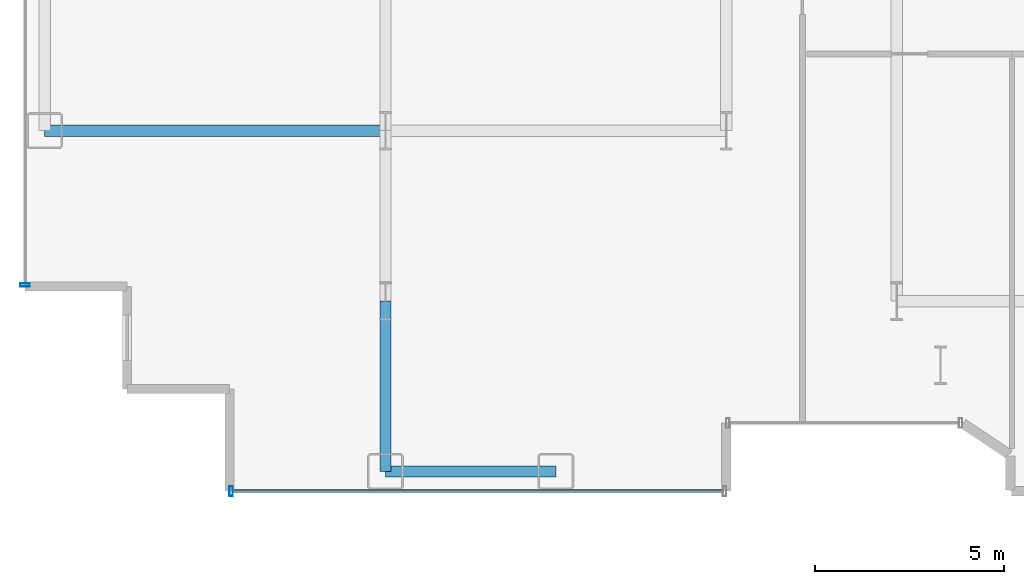
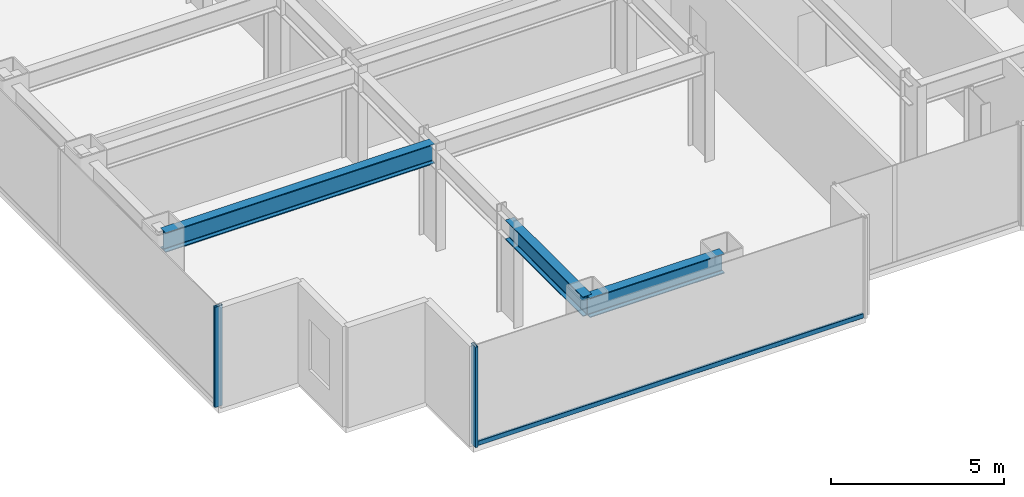
# One storey, part 2 of 25: 3 beams, 3 members, 2 elements without a shape of their own.
"""IFC4 building model written with IfcOpenShell, lengths in metres."""

from ifc_helpers import new_model, si_unit, direction, frame, origin, origin_2d, place, context, subcontext, project, spatial, hollow_rectangle, i_section, extrude, source, transform, mapped, material, layer, layer_set, material_profile, profile_set, type_object, element, aggregate, save


model = new_model("IFC4")

# Units and contexts
model_context = context("Model", 3, precision=1e-05, world=origin(), true_north=direction((0.0, 1.0)))
body_context = subcontext(model_context, "Body", "Model", "MODEL_VIEW")
ifc_project = project(units=[si_unit("LENGTHUNIT", "METRE"), si_unit("AREAUNIT", "SQUARE_METRE"), si_unit("VOLUMEUNIT", "CUBIC_METRE"), si_unit("PLANEANGLEUNIT", "RADIAN"), si_unit("MASSUNIT", "GRAM", prefix="KILO")], contexts=[model_context])

# Site, building, storey
site_placement = place(None, origin())
site = spatial("IfcSite", under=ifc_project, at=site_placement, CompositionType="ELEMENT")
building_placement = place(site_placement, origin())
building = spatial("IfcBuilding", under=site, at=building_placement, Name="Nefas-Gora Pilgrimage Tower", CompositionType="ELEMENT")
storey_placement = place(building_placement, frame((0.0, 0.0, 98.39990234375)))
storey = spatial("IfcBuildingStorey", under=building, at=storey_placement, Name="L23", CompositionType="ELEMENT", Elevation=98.39990234375)

# Beams
ifc_material_1 = material(Name="Steel S355", Category="steel")
ifc_material_profile_1 = material_profile(ifc_material_1, i_section(OverallWidth=0.300048828125, OverallDepth=0.699951171875, WebThickness=0.01708984375, FlangeThickness=0.031982421875, FilletRadius=0.027099609375, at=origin_2d()), Name="HEB 700")
ifc_profile_set_1 = profile_set([ifc_material_profile_1], Name="Steel S355")
beam_type_1 = type_object("IfcBeamType", Name="BM-SPN-HEB600", PredefinedType="SPANDREL", material=ifc_profile_set_1)
shared_shape_1 = source(origin(), body_context, "Body", "SweptSolid", [
    extrude(i_section(OverallWidth=0.300048828125, OverallDepth=0.699951171875, WebThickness=0.01708984375, FlangeThickness=0.031982421875, FilletRadius=0.027099609375, at=origin_2d()), origin(), (0.0, 0.0, 1.0), 4.5),
])
beam_1_placement = place(storey_placement, frame((-24.75, -22.5, 3.2001953125), z_axis=(1.0, 0.0, 0.0), x_axis=(0.0, 1.0, 0.0)))
element("IfcBeam", 1, at=beam_1_placement, inside=storey, type_object=beam_type_1, Name="L23 SP-01 beam", PredefinedType="SPANDREL", context=body_context, shape_type="MappedRepresentation", body=[
    mapped(shared_shape_1, transform((0.0, 0.0, 0.0), x_axis=(1.0, 0.0, 0.0), y_axis=(0.0, 1.0, 0.0), z_axis=(0.0, 0.0, 1.0), scale=1.0)),
])
ifc_material_profile_2 = material_profile(ifc_material_1, i_section(OverallWidth=0.300048828125, OverallDepth=0.699951171875, WebThickness=0.01708984375, FlangeThickness=0.031982421875, FilletRadius=0.027099609375, at=origin_2d()), Name="HEB 700")
ifc_profile_set_2 = profile_set([ifc_material_profile_2], Name="Steel S355")
beam_type_2 = type_object("IfcBeamType", Name="BM-GIR-HEB700", PredefinedType="BEAM", material=ifc_profile_set_2)
shared_shape_2 = source(origin(), body_context, "Body", "SweptSolid", [
    extrude(i_section(OverallWidth=0.300048828125, OverallDepth=0.699951171875, WebThickness=0.01708984375, FlangeThickness=0.031982421875, FilletRadius=0.027099609375, at=origin_2d()), origin(), (0.0, 0.0, 1.0), 9.0),
])
beam_2_placement = place(storey_placement, frame((-33.75, -13.5, 3.2001953125), z_axis=(1.0, 0.0, 0.0), x_axis=(0.0, 1.0, 0.0)))
element("IfcBeam", 2, at=beam_2_placement, inside=storey, type_object=beam_type_2, Name="L23 G-02 beam", PredefinedType="BEAM", context=body_context, shape_type="MappedRepresentation", body=[
    mapped(shared_shape_2, transform((0.0, 0.0, 0.0), x_axis=(1.0, 0.0, 0.0), y_axis=(0.0, 1.0, 0.0), z_axis=(0.0, 0.0, 1.0), scale=1.0)),
])
shared_shape_3 = source(origin(), body_context, "Body", "SweptSolid", [
    extrude(i_section(OverallWidth=0.300048828125, OverallDepth=0.699951171875, WebThickness=0.01708984375, FlangeThickness=0.031982421875, FilletRadius=0.027099609375, at=origin_2d()), origin(), (0.0, 0.0, 1.0), 4.5),
])
beam_3_placement = place(storey_placement, frame((-24.75, -22.5, 3.2001953125), z_axis=(0.0, 1.0, 0.0), x_axis=(-1.0, 0.0, 0.0)))
element("IfcBeam", 3, at=beam_3_placement, inside=storey, type_object=beam_type_2, Name="L23 G-02 beam", PredefinedType="BEAM", context=body_context, shape_type="MappedRepresentation", body=[
    mapped(shared_shape_3, transform((0.0, 0.0, 0.0), x_axis=(1.0, 0.0, 0.0), y_axis=(0.0, 1.0, 0.0), z_axis=(0.0, 0.0, 1.0), scale=1.0)),
])

# Curtain wall, member
ifc_material_2 = material(Name="Dark ceramic-fritted solar-control aluminium-glass curtain wall", Category="aluminium")
ifc_layer = layer(ifc_material_2, 0.219970703125)
ifc_layer_set = layer_set([ifc_layer], Name="Dark ceramic-fritted solar-control aluminium-glass curtain wall")
curtain_wall_type = type_object("IfcCurtainWallType", Name="CW-SYS-2", PredefinedType="NOTDEFINED", material=ifc_layer_set)
curtain_wall_1_placement = place(storey_placement, origin())
curtain_wall_1 = element("IfcCurtainWall", 4, at=curtain_wall_1_placement, inside=storey, type_object=curtain_wall_type, Name="L23 Unitised Curtain Wall CW2", PredefinedType="NOTDEFINED")
ifc_material_3 = material(Name="Anodised architectural aluminium", Category="aluminium")
ifc_material_profile_3 = material_profile(ifc_material_3, hollow_rectangle(XDim=0.090087890625, YDim=0.260009765625, WallThickness=0.006103515625, InnerFilletRadius=0.006103515625, OuterFilletRadius=0.011962890625, at=origin_2d()), Name="ALU MULLION 90x260")
ifc_profile_set_3 = profile_set([ifc_material_profile_3], Name="Anodised architectural aluminium")
member_type_1 = type_object("IfcMemberType", Name="CWM-MUL-2", PredefinedType="MULLION", material=ifc_profile_set_3)
shared_shape_4 = source(origin(), body_context, "Body", "SweptSolid", [
    extrude(hollow_rectangle(XDim=0.090087890625, YDim=0.260009765625, WallThickness=0.006103515625, InnerFilletRadius=0.006103515625, OuterFilletRadius=0.011962890625, at=origin_2d()), origin(), (0.0, 0.0, 1.0), 3.550048828125),
])
member_1_placement = place(storey_placement, frame((-34.27001953125, -17.574951171875, 0.0), z_axis=(0.0, 0.0, 1.0), x_axis=(0.0, -1.0, 0.0)))
member_1 = element("IfcMember", 5, at=member_1_placement, type_object=member_type_1, Name="CW2 Mullion 2", PredefinedType="MULLION", context=body_context, shape_type="MappedRepresentation", body=[
    mapped(shared_shape_4, transform((0.0, 0.0, 0.0), x_axis=(1.0, 0.0, 0.0), y_axis=(0.0, 1.0, 0.0), z_axis=(0.0, 0.0, 1.0), scale=1.0)),
])
aggregate(curtain_wall_1, [member_1])

# Curtain wall, members
curtain_wall_2_placement = place(storey_placement, origin())
curtain_wall_2 = element("IfcCurtainWall", 6, at=curtain_wall_2_placement, inside=storey, type_object=curtain_wall_type, Name="L23 Unitised Curtain Wall CW2", PredefinedType="NOTDEFINED")
member_2_placement = place(storey_placement, frame((-28.824951171875, -23.02001953125, 0.0), z_axis=(0.0, 0.0, 1.0), x_axis=(1.0, 0.0, 0.0)))
member_2 = element("IfcMember", 7, at=member_2_placement, type_object=member_type_1, Name="CW2 Mullion 1", PredefinedType="MULLION", context=body_context, shape_type="MappedRepresentation", body=[
    mapped(shared_shape_4, transform((0.0, 0.0, 0.0), x_axis=(1.0, 0.0, 0.0), y_axis=(0.0, 1.0, 0.0), z_axis=(0.0, 0.0, 1.0), scale=1.0)),
])
ifc_material_profile_4 = material_profile(ifc_material_3, hollow_rectangle(XDim=0.080078125, YDim=0.159912109375, WallThickness=0.00439453125, InnerFilletRadius=0.00439453125, OuterFilletRadius=0.009033203125, at=origin_2d()), Name="ALU TRANSOM 80x160")
ifc_profile_set_4 = profile_set([ifc_material_profile_4], Name="Anodised architectural aluminium")
member_type_2 = type_object("IfcMemberType", Name="CWM-TRN-2", PredefinedType="USERDEFINED", material=ifc_profile_set_4)
shared_shape_5 = source(origin(), body_context, "Body", "SweptSolid", [
    extrude(hollow_rectangle(XDim=0.080078125, YDim=0.159912109375, WallThickness=0.00439453125, InnerFilletRadius=0.00439453125, OuterFilletRadius=0.009033203125, at=origin_2d()), origin(), (0.0, 0.0, 1.0), 12.93994140625),
])
member_3_placement = place(storey_placement, frame((-28.780029296875, -23.02001953125, 0.050048828125), z_axis=(1.0, 0.0, 0.0), x_axis=(0.0, 1.0, 0.0)))
member_3 = element("IfcMember", 8, at=member_3_placement, type_object=member_type_2, Name="CW2 Spandrel Transom", ObjectType="TRANSOM", PredefinedType="USERDEFINED", context=body_context, shape_type="MappedRepresentation", body=[
    mapped(shared_shape_5, transform((0.0, 0.0, 0.0), x_axis=(1.0, 0.0, 0.0), y_axis=(0.0, 1.0, 0.0), z_axis=(0.0, 0.0, 1.0), scale=1.0)),
])
aggregate(curtain_wall_2, [member_2, member_3])

save(model, "model.ifc")
